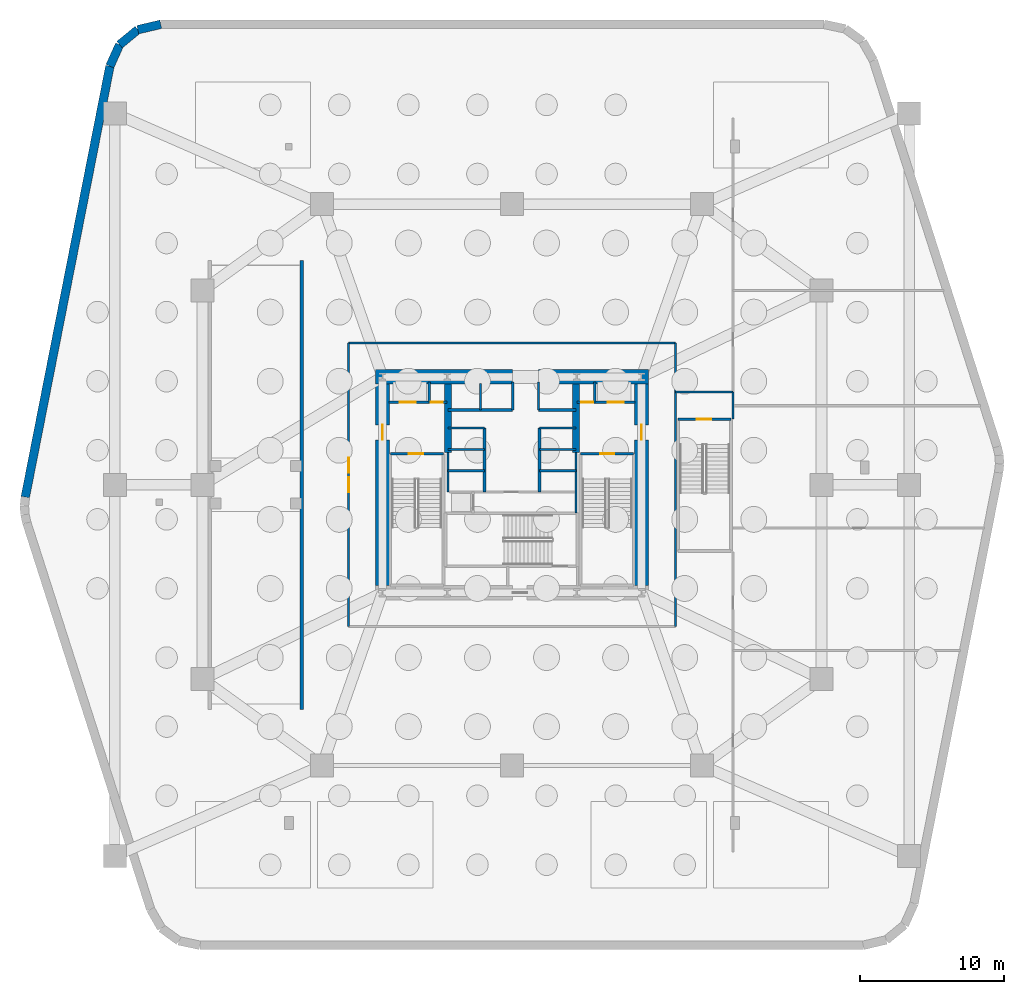
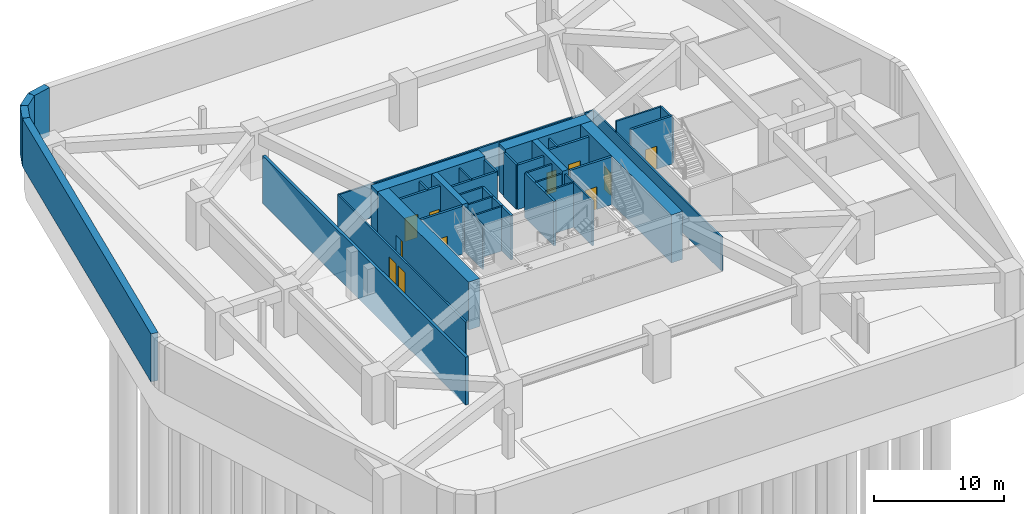
# One storey, part 4 of 8: 38 walls, 11 doors, 11 openings.
"""IFC4 building model written with IfcOpenShell, lengths in metres."""

from ifc_helpers import new_model, si_unit, direction, frame, frame_2d, origin, place, context, subcontext, project, spatial, rectangle, extrude, material, layer, layer_set, type_object, element, fill, save


model = new_model("IFC4")

# Units and contexts
model_context = context("Model", 3, precision=1e-05, world=origin(), true_north=direction((0.0, 1.0)))
body_context = subcontext(model_context, "Body", "Model", "MODEL_VIEW")
ifc_project = project(units=[si_unit("LENGTHUNIT", "METRE"), si_unit("AREAUNIT", "SQUARE_METRE"), si_unit("VOLUMEUNIT", "CUBIC_METRE"), si_unit("PLANEANGLEUNIT", "RADIAN"), si_unit("MASSUNIT", "GRAM", prefix="KILO")], contexts=[model_context])

# Site, building, storey
site_placement = place(None, origin())
site = spatial("IfcSite", under=ifc_project, at=site_placement, CompositionType="ELEMENT")
building_placement = place(site_placement, origin())
building = spatial("IfcBuilding", under=site, at=building_placement, Name="Kilnhurst Terrace Hotel", CompositionType="ELEMENT")
storey_placement = place(building_placement, frame((0.0, 0.0, -9.0)))
storey = spatial("IfcBuildingStorey", under=building, at=storey_placement, Name="B2", CompositionType="ELEMENT", Elevation=-9.0)

# Wall, openings, doors
ifc_material_1 = material(Name="Acoustic Double-Gypsum Corridor Partition Assembly")
ifc_layer_1 = layer(ifc_material_1, 0.14990234375, Name="Acoustic Double-Gypsum Corridor Partition Assembly")
ifc_layer_set_1 = layer_set([ifc_layer_1], Name="Acoustic Double-Gypsum Corridor Partition Assembly")
wall_type_1 = type_object("IfcWallType", Name="WL-COR-150", PredefinedType="PARTITIONING", material=ifc_layer_set_1)
wall_1_placement = place(storey_placement, frame((-11.35009765625, -9.85009765625, 0.0), z_axis=(0.0, 0.0, 1.0), x_axis=(0.0, 1.0, 0.0)))
wall_1 = element("IfcWall", 1, at=wall_1_placement, inside=storey, type_object=wall_type_1, Name="B2 Interior Wall WL-B2-COR-01", PredefinedType="PARTITIONING", context=body_context, shape_type="SweptSolid", body=[
    extrude(rectangle(XDim=19.7001953125, YDim=0.14990234375, at=frame_2d((9.85009765625, 0.0))), origin(), (0.0, 0.0, 1.0), 3.169921875),
])
opening_1_placement = place(wall_1_placement, frame((9.324951171875, 0.0, 0.0)))
opening_1 = element("IfcOpeningElement", 2, at=opening_1_placement, cuts=wall_1, Name="Opening D-90A", PredefinedType="OPENING", context=body_context, shape_type="SweptSolid", body=[
    extrude(rectangle(XDim=1.050048828125, YDim=2.14990234375, at=frame_2d((0.52490234375, 1.074951171875))), frame((0.0, 0.0849609375, 0.0), z_axis=(0.0, -1.0, 0.0), x_axis=(1.0, 0.0, 0.0)), (0.0, 0.0, 1.0), 0.169921875),
])
opening_2_placement = place(wall_1_placement, frame((10.675048828125, 0.0, 0.0)))
opening_2 = element("IfcOpeningElement", 3, at=opening_2_placement, cuts=wall_1, Name="Opening D-90A", PredefinedType="OPENING", context=body_context, shape_type="SweptSolid", body=[
    extrude(rectangle(XDim=1.050048828125, YDim=2.14990234375, at=frame_2d((0.52490234375, 1.074951171875))), frame((0.0, 0.0849609375, 0.0), z_axis=(0.0, -1.0, 0.0), x_axis=(1.0, 0.0, 0.0)), (0.0, 0.0, 1.0), 0.169921875),
])
ifc_material_2 = material(Name="Painted Hollow Metal Steel ASTM A36 Fire Door", Category="steel")
door_type_1 = type_object("IfcDoorType", Name="DR-FD90-1050", OperationType="NOTDEFINED", PredefinedType="DOOR", material=ifc_material_2)
door_1_placement = place(opening_1_placement, origin())
door_1 = element("IfcDoor", 4, at=door_1_placement, inside=storey, type_object=door_type_1, Name="B2 Car Park West Vestibule Door", OperationType="SINGLE_SWING_LEFT", OverallHeight=2.14990234375, OverallWidth=1.050048828125, PredefinedType="DOOR", context=body_context, shape_type="SweptSolid", body=[
    extrude(rectangle(XDim=1.050048828125, YDim=2.14990234375, at=frame_2d((0.52490234375, 1.074951171875))), frame((0.0, 0.02490234375, 0.0), z_axis=(0.0, -1.0, 0.0), x_axis=(1.0, 0.0, 0.0)), (0.0, 0.0, 1.0), 0.050048828125),
])
fill(opening_1, door_1)
door_2_placement = place(opening_2_placement, origin())
door_2 = element("IfcDoor", 5, at=door_2_placement, inside=storey, type_object=door_type_1, Name="B2 Car Park South Corridor Door", OperationType="SINGLE_SWING_RIGHT", OverallHeight=2.14990234375, OverallWidth=1.050048828125, PredefinedType="DOOR", context=body_context, shape_type="SweptSolid", body=[
    extrude(rectangle(XDim=1.050048828125, YDim=2.14990234375, at=frame_2d((0.52490234375, 1.074951171875))), frame((0.0, 0.02490234375, 0.0), z_axis=(0.0, -1.0, 0.0), x_axis=(1.0, 0.0, 0.0)), (0.0, 0.0, 1.0), 0.050048828125),
])
fill(opening_2, door_2)

# Walls
wall_2_placement = place(storey_placement, frame((-11.35009765625, 9.85009765625, 0.0), z_axis=(0.0, 0.0, 1.0), x_axis=(1.0, 0.0, 0.0)))
element("IfcWall", 6, at=wall_2_placement, inside=storey, type_object=wall_type_1, Name="B2 Interior Wall WL-B2-COR-02", PredefinedType="PARTITIONING", context=body_context, shape_type="SweptSolid", body=[
    extrude(rectangle(XDim=22.7001953125, YDim=0.14990234375, at=frame_2d((11.35009765625, 0.0))), origin(), (0.0, 0.0, 1.0), 3.169921875),
])
wall_3_placement = place(storey_placement, frame((11.35009765625, 9.85009765625, 0.0), z_axis=(0.0, 0.0, 1.0), x_axis=(0.0, -1.0, 0.0)))
element("IfcWall", 7, at=wall_3_placement, inside=storey, type_object=wall_type_1, Name="B2 Interior Wall WL-B2-COR-03", PredefinedType="PARTITIONING", context=body_context, shape_type="SweptSolid", body=[
    extrude(rectangle(XDim=19.7001953125, YDim=0.14990234375, at=frame_2d((9.85009765625, 0.0))), origin(), (0.0, 0.0, 1.0), 3.169921875),
])
wall_4_placement = place(storey_placement, frame((11.35009765625, 6.449951171875, 0.0), z_axis=(0.0, 0.0, 1.0), x_axis=(1.0, 0.0, 0.0)))
element("IfcWall", 8, at=wall_4_placement, inside=storey, type_object=wall_type_1, Name="B2 Interior Wall WL-B2-ST4-VEST-N", PredefinedType="PARTITIONING", context=body_context, shape_type="SweptSolid", body=[
    extrude(rectangle(XDim=4.0, YDim=0.14990234375, at=frame_2d((2.0, 0.0))), origin(), (0.0, 0.0, 1.0), 4.179931640625),
])
wall_5_placement = place(storey_placement, frame((15.35009765625, 4.55810546875, 0.0), z_axis=(0.0, 0.0, 1.0), x_axis=(0.0, 1.0, 0.0)))
element("IfcWall", 9, at=wall_5_placement, inside=storey, type_object=wall_type_1, Name="B2 Interior Wall WL-B2-ST4-VEST-E", PredefinedType="PARTITIONING", context=body_context, shape_type="SweptSolid", body=[
    extrude(rectangle(XDim=1.891845703125, YDim=0.14990234375, at=frame_2d((0.94580078125, 0.0))), origin(), (0.0, 0.0, 1.0), 4.179931640625),
])
ifc_material_3 = material(Name="Concrete C80/95", Category="concrete")
ifc_layer_2 = layer(ifc_material_3, 1.0, Name="Concrete C80/95")
ifc_layer_set_2 = layer_set([ifc_layer_2], Name="Concrete C80/95")
wall_type_2 = type_object("IfcWallType", Name="WL-CORE-1000", PredefinedType="SHEAR", material=ifc_layer_set_2)
wall_6_placement = place(storey_placement, frame((-9.5, 7.5, 0.0), z_axis=(0.0, 0.0, 1.0), x_axis=(1.0, 0.0, 0.0)))
element("IfcWall", 10, at=wall_6_placement, inside=storey, type_object=wall_type_2, Name="B2 Core North West Shear Wall", PredefinedType="SHEAR", context=body_context, shape_type="SweptSolid", body=[
    extrude(rectangle(XDim=9.550048828125, YDim=1.0, at=frame_2d((4.77490234375, 0.0))), origin(), (0.0, 0.0, 1.0), 4.5),
])
wall_7_placement = place(storey_placement, frame((1.85009765625, 7.5, 0.0), z_axis=(0.0, 0.0, 1.0), x_axis=(1.0, 0.0, 0.0)))
element("IfcWall", 11, at=wall_7_placement, inside=storey, type_object=wall_type_2, Name="B2 Core North East Shear Wall", PredefinedType="SHEAR", context=body_context, shape_type="SweptSolid", body=[
    extrude(rectangle(XDim=7.64990234375, YDim=1.0, at=frame_2d((3.824951171875, 0.0))), origin(), (0.0, 0.0, 1.0), 4.5),
])

# Wall, opening, door
wall_8_placement = place(storey_placement, frame((-9.0, -7.0, 0.0), z_axis=(0.0, 0.0, 1.0), x_axis=(0.0, 1.0, 0.0)))
wall_8 = element("IfcWall", 12, at=wall_8_placement, inside=storey, type_object=wall_type_2, Name="B2 Core West Shear Wall", PredefinedType="SHEAR", context=body_context, shape_type="SweptSolid", body=[
    extrude(rectangle(XDim=14.0, YDim=1.0, at=frame_2d((7.0, 0.0))), origin(), (0.0, 0.0, 1.0), 4.5),
])
opening_3_placement = place(wall_8_placement, frame((10.125, 0.0, 0.0)))
opening_3 = element("IfcOpeningElement", 13, at=opening_3_placement, cuts=wall_8, Name="Opening D-90A", PredefinedType="OPENING", context=body_context, shape_type="SweptSolid", body=[
    extrude(rectangle(XDim=1.050048828125, YDim=2.14990234375, at=frame_2d((0.52490234375, 1.074951171875))), frame((0.0, 0.510009765625, 0.0), z_axis=(0.0, -1.0, 0.0), x_axis=(1.0, 0.0, 0.0)), (0.0, 0.0, 1.0), 1.02001953125),
])
door_3_placement = place(opening_3_placement, origin())
door_3 = element("IfcDoor", 14, at=door_3_placement, inside=storey, type_object=door_type_1, Name="B2 West Firefighting Lobby Door", OperationType="SINGLE_SWING_RIGHT", OverallHeight=2.14990234375, OverallWidth=1.050048828125, PredefinedType="DOOR", context=body_context, shape_type="SweptSolid", body=[
    extrude(rectangle(XDim=1.050048828125, YDim=2.14990234375, at=frame_2d((0.52490234375, 1.074951171875))), frame((0.0, 0.02490234375, 0.0), z_axis=(0.0, -1.0, 0.0), x_axis=(1.0, 0.0, 0.0)), (0.0, 0.0, 1.0), 0.050048828125),
])
fill(opening_3, door_3)

wall_9_placement = place(storey_placement, frame((9.0, -7.0, 0.0), z_axis=(0.0, 0.0, 1.0), x_axis=(0.0, 1.0, 0.0)))
wall_9 = element("IfcWall", 15, at=wall_9_placement, inside=storey, type_object=wall_type_2, Name="B2 Core East Shear Wall", PredefinedType="SHEAR", context=body_context, shape_type="SweptSolid", body=[
    extrude(rectangle(XDim=14.0, YDim=1.0, at=frame_2d((7.0, 0.0))), origin(), (0.0, 0.0, 1.0), 4.5),
])
opening_4_placement = place(wall_9_placement, frame((10.125, 0.0, 0.0)))
opening_4 = element("IfcOpeningElement", 16, at=opening_4_placement, cuts=wall_9, Name="Opening D-90A", PredefinedType="OPENING", context=body_context, shape_type="SweptSolid", body=[
    extrude(rectangle(XDim=1.050048828125, YDim=2.14990234375, at=frame_2d((0.52490234375, 1.074951171875))), frame((0.0, 0.510009765625, 0.0), z_axis=(0.0, -1.0, 0.0), x_axis=(1.0, 0.0, 0.0)), (0.0, 0.0, 1.0), 1.02001953125),
])
door_4_placement = place(opening_4_placement, origin())
door_4 = element("IfcDoor", 17, at=door_4_placement, inside=storey, type_object=door_type_1, Name="B2 East Firefighting Lobby Door", OperationType="SINGLE_SWING_LEFT", OverallHeight=2.14990234375, OverallWidth=1.050048828125, PredefinedType="DOOR", context=body_context, shape_type="SweptSolid", body=[
    extrude(rectangle(XDim=1.050048828125, YDim=2.14990234375, at=frame_2d((0.52490234375, 1.074951171875))), frame((0.0, 0.02490234375, 0.0), z_axis=(0.0, -1.0, 0.0), x_axis=(1.0, 0.0, 0.0)), (0.0, 0.0, 1.0), 0.050048828125),
])
fill(opening_4, door_4)

# Walls
ifc_material_4 = material(Name="Concrete C60/75", Category="concrete")
ifc_layer_3 = layer(ifc_material_4, 0.5, Name="Concrete C60/75")
ifc_layer_set_3 = layer_set([ifc_layer_3], Name="Concrete C60/75")
wall_type_3 = type_object("IfcWallType", Name="WL-CORE-WEB-500", PredefinedType="SHEAR", material=ifc_layer_set_3)
for number, where, z_axis, x_axis, name in (
    (18, (-4.449951171875, 2.25, 0.0), (0.0, 0.0, 1.0), (0.0, 1.0, 0.0), "B2 Core Internal West Shear Web"),
    (19, (4.449951171875, 2.25, 0.0), (0.0, 0.0, 1.0), (0.0, 1.0, 0.0), "B2 Core Internal East Shear Web"),
):
    element("IfcWall", number, at=place(storey_placement, frame(where, z_axis=z_axis, x_axis=x_axis)), inside=storey, type_object=wall_type_3, Name=name, PredefinedType="SHEAR", context=body_context, shape_type="SweptSolid", body=[
        extrude(rectangle(XDim=4.75, YDim=0.5, at=frame_2d((2.375, 0.0))), origin(), (0.0, 0.0, 1.0), 4.5),
    ])
ifc_material_5 = material(Name="Concrete C50/60", Category="concrete")
ifc_layer_4 = layer(ifc_material_5, 0.25, Name="Concrete C50/60")
ifc_layer_set_4 = layer_set([ifc_layer_4], Name="Concrete C50/60")
wall_type_4 = type_object("IfcWallType", Name="WL-RAMP-RC-250", PredefinedType="SHEAR", material=ifc_layer_set_4)
wall_10_placement = place(storey_placement, frame((-14.60009765625, -15.60009765625, 0.0), z_axis=(0.0, 0.0, 1.0), x_axis=(0.0, 1.0, 0.0)))
element("IfcWall", 20, at=wall_10_placement, inside=storey, type_object=wall_type_4, Name="B2 Car Park Ramp Structural Support Wall E", PredefinedType="SHEAR", context=body_context, shape_type="SweptSolid", body=[
    extrude(rectangle(XDim=31.2001953125, YDim=0.25, at=frame_2d((15.60009765625, 0.0))), origin(), (0.0, 0.0, 1.0), 4.5),
])
ifc_layer_5 = layer(ifc_material_5, 0.60009765625, Name="Concrete C50/60")
ifc_layer_set_5 = layer_set([ifc_layer_5], Name="Concrete C50/60")
wall_type_5 = type_object("IfcWallType", Name="WL-RET-600", PredefinedType="SHEAR", material=ifc_layer_set_5)
wall_11_placement = place(storey_placement, frame((-24.408203125, 32.0, 0.0), z_axis=(0.0, 0.0, 1.0), x_axis=(-0.973787308354, -0.227460497864, 0.0)))
element("IfcWall", 21, at=wall_11_placement, inside=storey, type_object=wall_type_5, Name="B2 Perimeter Shear Retaining Wall 17", PredefinedType="SHEAR", context=body_context, shape_type="SweptSolid", body=[
    extrude(rectangle(XDim=1.637939453125, YDim=0.60009765625, at=frame_2d((0.81884765625, 0.0))), origin(), (0.0, 0.0, 1.0), 4.5),
])
for number, where, z_axis, x_axis, name in (
    (22, (-26.003173828125, 31.62744140625, 0.0), (0.0, 0.0, 1.0), (-0.772214171592, -0.635362316472, 0.0), "B2 Perimeter Shear Retaining Wall 18"),
    (23, (-27.267822265625, 30.5869140625, 0.0), (0.0, 0.0, 1.0), (-0.410835694769, -0.911709401018, 0.0), "B2 Perimeter Shear Retaining Wall 19"),
):
    element("IfcWall", number, at=place(storey_placement, frame(where, z_axis=z_axis, x_axis=x_axis)), inside=storey, type_object=wall_type_5, Name=name, PredefinedType="SHEAR", context=body_context, shape_type="SweptSolid", body=[
        extrude(rectangle(XDim=1.6376953125, YDim=0.60009765625, at=frame_2d((0.81884765625, 0.0))), origin(), (0.0, 0.0, 1.0), 4.5),
    ])
wall_12_placement = place(storey_placement, frame((-27.940673828125, 29.09375, 0.0), z_axis=(0.0, 0.0, 1.0), x_axis=(-0.192705549984, -0.981256628515, 0.0)))
element("IfcWall", 24, at=wall_12_placement, inside=storey, type_object=wall_type_5, Name="B2 Perimeter Shear Retaining Wall 20", PredefinedType="SHEAR", context=body_context, shape_type="SweptSolid", body=[
    extrude(rectangle(XDim=30.51611328125, YDim=0.60009765625, at=frame_2d((15.258056640625, 0.0))), origin(), (0.0, 0.0, 1.0), 4.5),
])
ifc_material_6 = material(Name="Fire-Rated Gypsum Shaftliner Assembly")
ifc_layer_6 = layer(ifc_material_6, 0.14990234375, Name="Fire-Rated Gypsum Shaftliner Assembly")
ifc_layer_set_6 = layer_set([ifc_layer_6], Name="Fire-Rated Gypsum Shaftliner Assembly")
wall_type_6 = type_object("IfcWallType", Name="WL-SHAFT-150", PredefinedType="PARTITIONING", material=ifc_layer_set_6)
for number, where, z_axis, x_axis, name in (
    (25, (-5.75, 5.739990234375, 0.0), (0.0, 0.0, 1.0), (0.0, 1.0, 0.0), "B2 Interior Wall WL-B2-RIS1-DIV"),
    (26, (5.75, 5.739990234375, 0.0), (0.0, 0.0, 1.0), (0.0, 1.0, 0.0), "B2 Interior Wall WL-B2-RIS2-DIV"),
):
    element("IfcWall", number, at=place(storey_placement, frame(where, z_axis=z_axis, x_axis=x_axis)), inside=storey, type_object=wall_type_6, Name=name, PredefinedType="PARTITIONING", context=body_context, shape_type="SweptSolid", body=[
        extrude(rectangle(XDim=1.409912109375, YDim=0.14990234375, at=frame_2d((0.705078125, 0.0))), origin(), (0.0, 0.0, 1.0), 4.179931640625),
    ])
wall_13_placement = place(storey_placement, frame((-2.199951171875, 5.199951171875, 0.0), z_axis=(0.0, 0.0, 1.0), x_axis=(0.0, 1.0, 0.0)))
element("IfcWall", 27, at=wall_13_placement, inside=storey, type_object=wall_type_6, Name="B2 Interior Wall WL-B2-HR-DIV1", PredefinedType="PARTITIONING", context=body_context, shape_type="SweptSolid", body=[
    extrude(rectangle(XDim=1.85009765625, YDim=0.14990234375, at=frame_2d((0.925048828125, 0.0))), origin(), (0.0, 0.0, 1.0), 4.179931640625),
])
for number, where, z_axis, x_axis, name in (
    (28, (0.050048828125, 5.199951171875, 0.0), (0.0, 0.0, 1.0), (0.0, 1.0, 0.0), "B2 Interior Wall WL-B2-HR-PORTAL-W"),
    (29, (1.85009765625, 5.199951171875, 0.0), (0.0, 0.0, 1.0), (0.0, 1.0, 0.0), "B2 Interior Wall WL-B2-HR-PORTAL-E"),
):
    element("IfcWall", number, at=place(storey_placement, frame(where, z_axis=z_axis, x_axis=x_axis)), inside=storey, type_object=wall_type_6, Name=name, PredefinedType="PARTITIONING", context=body_context, shape_type="SweptSolid", body=[
        extrude(rectangle(XDim=1.949951171875, YDim=0.14990234375, at=frame_2d((0.97509765625, 0.0))), origin(), (0.0, 0.0, 1.0), 4.179931640625),
    ])
wall_14_placement = place(storey_placement, frame((-4.449951171875, -0.5, 0.0), z_axis=(0.0, 0.0, 1.0), x_axis=(0.0, 1.0, 0.0)))
element("IfcWall", 30, at=wall_14_placement, inside=storey, type_object=wall_type_6, Name="B2 Interior Wall WL-B2-XLOB-W", PredefinedType="PARTITIONING", context=body_context, shape_type="SweptSolid", body=[
    extrude(rectangle(XDim=2.75, YDim=0.14990234375, at=frame_2d((1.375, 0.0))), origin(), (0.0, 0.0, 1.0), 4.179931640625),
])
wall_15_placement = place(storey_placement, frame((4.449951171875, -1.971923828125, 0.0), z_axis=(0.0, 0.0, 1.0), x_axis=(0.0, 1.0, 0.0)))
element("IfcWall", 31, at=wall_15_placement, inside=storey, type_object=wall_type_6, Name="B2 Interior Wall WL-B2-XLOB-E", PredefinedType="PARTITIONING", context=body_context, shape_type="SweptSolid", body=[
    extrude(rectangle(XDim=4.221923828125, YDim=0.14990234375, at=frame_2d((2.11083984375, 0.0))), origin(), (0.0, 0.0, 1.0), 4.179931640625),
])
for number, where, z_axis, x_axis, name in (
    (32, (-4.449951171875, 3.93994140625, 0.0), (0.0, 0.0, 1.0), (1.0, 0.0, 0.0), "B2 Interior Wall WL-B2-LR-NORTH"),
    (33, (-4.449951171875, 0.97998046875, 0.0), (0.0, 0.0, 1.0), (1.0, 0.0, 0.0), "B2 Interior Wall WL-B2-LR-D1"),
    (34, (-4.449951171875, 2.4599609375, 0.0), (0.0, 0.0, 1.0), (1.0, 0.0, 0.0), "B2 Interior Wall WL-B2-LR-D2"),
    (35, (1.89990234375, 3.93994140625, 0.0), (0.0, 0.0, 1.0), (1.0, 0.0, 0.0), "B2 Interior Wall WL-B2-MR-NORTH"),
    (36, (1.89990234375, 0.97998046875, 0.0), (0.0, 0.0, 1.0), (1.0, 0.0, 0.0), "B2 Interior Wall WL-B2-MR-D1"),
    (37, (1.89990234375, 2.4599609375, 0.0), (0.0, 0.0, 1.0), (1.0, 0.0, 0.0), "B2 Interior Wall WL-B2-MR-D2"),
):
    element("IfcWall", number, at=place(storey_placement, frame(where, z_axis=z_axis, x_axis=x_axis)), inside=storey, type_object=wall_type_6, Name=name, PredefinedType="PARTITIONING", context=body_context, shape_type="SweptSolid", body=[
        extrude(rectangle(XDim=2.550048828125, YDim=0.14990234375, at=frame_2d((1.27490234375, 0.0))), origin(), (0.0, 0.0, 1.0), 4.179931640625),
    ])

# Wall, openings, doors
ifc_material_7 = material(Name="Autoclaved Aerated Concrete C30/37 and Gypsum Shaft Assembly", Category="concrete")
ifc_layer_7 = layer(ifc_material_7, 0.199951171875, Name="Autoclaved Aerated Concrete C30/37 and Gypsum Shaft Assembly")
ifc_layer_set_7 = layer_set([ifc_layer_7], Name="Autoclaved Aerated Concrete C30/37 and Gypsum Shaft Assembly")
wall_type_7 = type_object("IfcWallType", Name="WL-SHAFT-200", PredefinedType="PARTITIONING", material=ifc_layer_set_7)
wall_16_placement = place(storey_placement, frame((-8.550048828125, 5.739990234375, 0.0), z_axis=(0.0, 0.0, 1.0), x_axis=(1.0, 0.0, 0.0)))
wall_16 = element("IfcWall", 38, at=wall_16_placement, inside=storey, type_object=wall_type_7, Name="B2 Interior Wall WL-B2-FSAE1-S", PredefinedType="PARTITIONING", context=body_context, shape_type="SweptSolid", body=[
    extrude(rectangle(XDim=4.050048828125, YDim=0.199951171875, at=frame_2d((2.02490234375, 0.0))), origin(), (0.0, 0.0, 1.0), 4.179931640625),
])
opening_5_placement = place(wall_16_placement, frame((0.75, 0.0, 0.0)))
opening_5 = element("IfcOpeningElement", 39, at=opening_5_placement, cuts=wall_16, Name="Opening LD-F1", PredefinedType="OPENING", context=body_context, shape_type="SweptSolid", body=[
    extrude(rectangle(XDim=1.10009765625, YDim=2.199951171875, at=frame_2d((0.550048828125, 1.10009765625))), frame((0.0, 0.10986328125, 0.0), z_axis=(0.0, -1.0, 0.0), x_axis=(1.0, 0.0, 0.0)), (0.0, 0.0, 1.0), 0.219970703125),
])
opening_6_placement = place(wall_16_placement, frame((2.89990234375, 0.0, 0.0)))
opening_6 = element("IfcOpeningElement", 40, at=opening_6_placement, cuts=wall_16, Name="Opening D-60D", PredefinedType="OPENING", context=body_context, shape_type="SweptSolid", body=[
    extrude(rectangle(XDim=0.85009765625, YDim=2.030029296875, at=frame_2d((0.425048828125, 1.01513671875))), frame((0.0, 0.10986328125, 0.0), z_axis=(0.0, -1.0, 0.0), x_axis=(1.0, 0.0, 0.0)), (0.0, 0.0, 1.0), 0.219970703125),
])
ifc_material_8 = material(Name="Painted Hollow Metal Steel ASTM A36 Riser Door", Category="steel")
door_type_2 = type_object("IfcDoorType", Name="DR-FD60-850", OperationType="NOTDEFINED", PredefinedType="DOOR", material=ifc_material_8)
door_5_placement = place(opening_6_placement, origin())
door_5 = element("IfcDoor", 41, at=door_5_placement, inside=storey, type_object=door_type_2, Name="B2 Electrical Riser Door", OperationType="SINGLE_SWING_LEFT", OverallHeight=2.030029296875, OverallWidth=0.85009765625, PredefinedType="DOOR", context=body_context, shape_type="SweptSolid", body=[
    extrude(rectangle(XDim=0.85009765625, YDim=2.030029296875, at=frame_2d((0.425048828125, 1.01513671875))), frame((0.0, 0.02490234375, 0.0), z_axis=(0.0, -1.0, 0.0), x_axis=(1.0, 0.0, 0.0)), (0.0, 0.0, 1.0), 0.050048828125),
])
fill(opening_6, door_5)
ifc_material_9 = material(Name="Bronze-Anodized Stainless Steel AISI 316L Sliding Door", Category="steel")
door_type_3 = type_object("IfcDoorType", Name="DR-LIFT-1100", OperationType="NOTDEFINED", PredefinedType="DOOR", material=ifc_material_9)
door_6_placement = place(opening_5_placement, origin())
door_6 = element("IfcDoor", 42, at=door_6_placement, inside=storey, type_object=door_type_3, Name="B2 FSAE-1 Landing Door", OperationType="SLIDING_TO_LEFT", OverallHeight=2.199951171875, OverallWidth=1.10009765625, PredefinedType="DOOR", context=body_context, shape_type="SweptSolid", body=[
    extrude(rectangle(XDim=1.10009765625, YDim=2.199951171875, at=frame_2d((0.550048828125, 1.10009765625))), frame((0.0, 0.02490234375, 0.0), z_axis=(0.0, -1.0, 0.0), x_axis=(1.0, 0.0, 0.0)), (0.0, 0.0, 1.0), 0.050048828125),
])
fill(opening_5, door_6)

wall_17_placement = place(storey_placement, frame((4.5, 5.739990234375, 0.0), z_axis=(0.0, 0.0, 1.0), x_axis=(1.0, 0.0, 0.0)))
wall_17 = element("IfcWall", 43, at=wall_17_placement, inside=storey, type_object=wall_type_7, Name="B2 Interior Wall WL-B2-FSAE2-S", PredefinedType="PARTITIONING", context=body_context, shape_type="SweptSolid", body=[
    extrude(rectangle(XDim=4.050048828125, YDim=0.199951171875, at=frame_2d((2.02490234375, 0.0))), origin(), (0.0, 0.0, 1.0), 4.179931640625),
])
opening_7_placement = place(wall_17_placement, frame((0.300048828125, 0.0, 0.0)))
opening_7 = element("IfcOpeningElement", 44, at=opening_7_placement, cuts=wall_17, Name="Opening D-60D", PredefinedType="OPENING", context=body_context, shape_type="SweptSolid", body=[
    extrude(rectangle(XDim=0.85009765625, YDim=2.030029296875, at=frame_2d((0.425048828125, 1.01513671875))), frame((0.0, 0.10986328125, 0.0), z_axis=(0.0, -1.0, 0.0), x_axis=(1.0, 0.0, 0.0)), (0.0, 0.0, 1.0), 0.219970703125),
])
opening_8_placement = place(wall_17_placement, frame((2.14990234375, 0.0, 0.0)))
opening_8 = element("IfcOpeningElement", 45, at=opening_8_placement, cuts=wall_17, Name="Opening LD-F2", PredefinedType="OPENING", context=body_context, shape_type="SweptSolid", body=[
    extrude(rectangle(XDim=1.10009765625, YDim=2.199951171875, at=frame_2d((0.550048828125, 1.10009765625))), frame((0.0, 0.10986328125, 0.0), z_axis=(0.0, -1.0, 0.0), x_axis=(1.0, 0.0, 0.0)), (0.0, 0.0, 1.0), 0.219970703125),
])
door_7_placement = place(opening_7_placement, origin())
door_7 = element("IfcDoor", 46, at=door_7_placement, inside=storey, type_object=door_type_2, Name="B2 Telecom Riser Door", OperationType="SINGLE_SWING_RIGHT", OverallHeight=2.030029296875, OverallWidth=0.85009765625, PredefinedType="DOOR", context=body_context, shape_type="SweptSolid", body=[
    extrude(rectangle(XDim=0.85009765625, YDim=2.030029296875, at=frame_2d((0.425048828125, 1.01513671875))), frame((0.0, 0.02490234375, 0.0), z_axis=(0.0, -1.0, 0.0), x_axis=(1.0, 0.0, 0.0)), (0.0, 0.0, 1.0), 0.050048828125),
])
fill(opening_7, door_7)
door_8_placement = place(opening_8_placement, origin())
door_8 = element("IfcDoor", 47, at=door_8_placement, inside=storey, type_object=door_type_3, Name="B2 FSAE-2 Landing Door", OperationType="SLIDING_TO_RIGHT", OverallHeight=2.199951171875, OverallWidth=1.10009765625, PredefinedType="DOOR", context=body_context, shape_type="SweptSolid", body=[
    extrude(rectangle(XDim=1.10009765625, YDim=2.199951171875, at=frame_2d((0.550048828125, 1.10009765625))), frame((0.0, 0.02490234375, 0.0), z_axis=(0.0, -1.0, 0.0), x_axis=(1.0, 0.0, 0.0)), (0.0, 0.0, 1.0), 0.050048828125),
])
fill(opening_8, door_8)

# Walls
wall_18_placement = place(storey_placement, frame((-4.449951171875, 5.199951171875, 0.0), z_axis=(0.0, 0.0, 1.0), x_axis=(1.0, 0.0, 0.0)))
element("IfcWall", 48, at=wall_18_placement, inside=storey, type_object=wall_type_7, Name="B2 Interior Wall WL-B2-HR-SW", PredefinedType="PARTITIONING", context=body_context, shape_type="SweptSolid", body=[
    extrude(rectangle(XDim=4.5, YDim=0.199951171875, at=frame_2d((2.25, 0.0))), origin(), (0.0, 0.0, 1.0), 4.179931640625),
])
wall_19_placement = place(storey_placement, frame((1.85009765625, 5.199951171875, 0.0), z_axis=(0.0, 0.0, 1.0), x_axis=(1.0, 0.0, 0.0)))
element("IfcWall", 49, at=wall_19_placement, inside=storey, type_object=wall_type_7, Name="B2 Interior Wall WL-B2-HR-SE", PredefinedType="PARTITIONING", context=body_context, shape_type="SweptSolid", body=[
    extrude(rectangle(XDim=2.599853515625, YDim=0.199951171875, at=frame_2d((1.2998046875, 0.0))), origin(), (0.0, 0.0, 1.0), 4.179931640625),
])
for number, where, z_axis, x_axis, name in (
    (50, (-1.89990234375, -0.5, 0.0), (0.0, 0.0, 1.0), (0.0, 1.0, 0.0), "B2 Interior Wall WL-B2-LR-FRONT"),
    (51, (1.89990234375, -0.5, 0.0), (0.0, 0.0, 1.0), (0.0, 1.0, 0.0), "B2 Interior Wall WL-B2-MR-FRONT"),
):
    element("IfcWall", number, at=place(storey_placement, frame(where, z_axis=z_axis, x_axis=x_axis)), inside=storey, type_object=wall_type_7, Name=name, PredefinedType="PARTITIONING", context=body_context, shape_type="SweptSolid", body=[
        extrude(rectangle(XDim=4.43994140625, YDim=0.199951171875, at=frame_2d((2.219970703125, 0.0))), origin(), (0.0, 0.0, 1.0), 4.179931640625),
    ])

# Wall, opening, door
ifc_layer_8 = layer(ifc_material_5, 0.199951171875, Name="Concrete C50/60")
ifc_layer_set_8 = layer_set([ifc_layer_8], Name="Concrete C50/60")
wall_type_8 = type_object("IfcWallType", Name="WL-STAIR-RC-200", PredefinedType="SHEAR", material=ifc_layer_set_8)
wall_20_placement = place(storey_placement, frame((-8.4580078125, 2.157958984375, 0.0), z_axis=(0.0, 0.0, 1.0), x_axis=(1.0, 0.0, 0.0)))
wall_20 = element("IfcWall", 52, at=wall_20_placement, inside=storey, type_object=wall_type_8, Name="B2 Structural Stair Shaft Wall WL-B2-ST1-N", PredefinedType="SHEAR", context=body_context, shape_type="SweptSolid", body=[
    extrude(rectangle(XDim=3.68603515625, YDim=0.199951171875, at=frame_2d((1.843017578125, 0.0))), origin(), (0.0, 0.0, 1.0), 4.5),
])
opening_9_placement = place(wall_20_placement, frame((1.300048828125, 0.0, 0.0)))
opening_9 = element("IfcOpeningElement", 53, at=opening_9_placement, cuts=wall_20, Name="Opening D-90B", PredefinedType="OPENING", context=body_context, shape_type="SweptSolid", body=[
    extrude(rectangle(XDim=1.0, YDim=2.14990234375, at=frame_2d((0.5, 1.074951171875))), frame((0.0, 0.10986328125, 0.0), z_axis=(0.0, -1.0, 0.0), x_axis=(1.0, 0.0, 0.0)), (0.0, 0.0, 1.0), 0.219970703125),
])
door_type_4 = type_object("IfcDoorType", Name="DR-FD90-1000", OperationType="NOTDEFINED", PredefinedType="DOOR", material=ifc_material_2)
door_9_placement = place(opening_9_placement, origin())
door_9 = element("IfcDoor", 54, at=door_9_placement, inside=storey, type_object=door_type_4, Name="B2 Stair ST-1 Door", OperationType="SINGLE_SWING_LEFT", OverallHeight=2.14990234375, OverallWidth=1.0, PredefinedType="DOOR", context=body_context, shape_type="SweptSolid", body=[
    extrude(rectangle(XDim=1.0, YDim=2.14990234375, at=frame_2d((0.5, 1.074951171875))), frame((0.0, 0.02490234375, 0.0), z_axis=(0.0, -1.0, 0.0), x_axis=(1.0, 0.0, 0.0)), (0.0, 0.0, 1.0), 0.050048828125),
])
fill(opening_9, door_9)

wall_21_placement = place(storey_placement, frame((4.77197265625, 2.157958984375, 0.0), z_axis=(0.0, 0.0, 1.0), x_axis=(1.0, 0.0, 0.0)))
wall_21 = element("IfcWall", 55, at=wall_21_placement, inside=storey, type_object=wall_type_8, Name="B2 Structural Stair Shaft Wall WL-B2-ST2-N", PredefinedType="SHEAR", context=body_context, shape_type="SweptSolid", body=[
    extrude(rectangle(XDim=3.68603515625, YDim=0.199951171875, at=frame_2d((1.843017578125, 0.0))), origin(), (0.0, 0.0, 1.0), 4.5),
])
opening_10_placement = place(wall_21_placement, frame((1.35009765625, 0.0, 0.0)))
opening_10 = element("IfcOpeningElement", 56, at=opening_10_placement, cuts=wall_21, Name="Opening D-90B", PredefinedType="OPENING", context=body_context, shape_type="SweptSolid", body=[
    extrude(rectangle(XDim=1.0, YDim=2.14990234375, at=frame_2d((0.5, 1.074951171875))), frame((0.0, 0.10986328125, 0.0), z_axis=(0.0, -1.0, 0.0), x_axis=(1.0, 0.0, 0.0)), (0.0, 0.0, 1.0), 0.219970703125),
])
door_10_placement = place(opening_10_placement, origin())
door_10 = element("IfcDoor", 57, at=door_10_placement, inside=storey, type_object=door_type_4, Name="B2 Stair ST-2 Door", OperationType="SINGLE_SWING_RIGHT", OverallHeight=2.14990234375, OverallWidth=1.0, PredefinedType="DOOR", context=body_context, shape_type="SweptSolid", body=[
    extrude(rectangle(XDim=1.0, YDim=2.14990234375, at=frame_2d((0.5, 1.074951171875))), frame((0.0, 0.02490234375, 0.0), z_axis=(0.0, -1.0, 0.0), x_axis=(1.0, 0.0, 0.0)), (0.0, 0.0, 1.0), 0.050048828125),
])
fill(opening_10, door_10)

wall_22_placement = place(storey_placement, frame((11.5419921875, 4.55810546875, 0.0), z_axis=(0.0, 0.0, 1.0), x_axis=(1.0, 0.0, 0.0)))
wall_22 = element("IfcWall", 58, at=wall_22_placement, inside=storey, type_object=wall_type_8, Name="B2 Podium Stair ST-4 Structural Shaft Wall WL-B2-ST4-N", PredefinedType="SHEAR", context=body_context, shape_type="SweptSolid", body=[
    extrude(rectangle(XDim=3.68603515625, YDim=0.199951171875, at=frame_2d((1.843017578125, 0.0))), origin(), (0.0, 0.0, 1.0), 4.5),
])
opening_11_placement = place(wall_22_placement, frame((1.300048828125, 0.0, 0.0)))
opening_11 = element("IfcOpeningElement", 59, at=opening_11_placement, cuts=wall_22, Name="Opening D-90B", PredefinedType="OPENING", context=body_context, shape_type="SweptSolid", body=[
    extrude(rectangle(XDim=1.0, YDim=2.14990234375, at=frame_2d((0.5, 1.074951171875))), frame((0.0, 0.10986328125, 0.0), z_axis=(0.0, -1.0, 0.0), x_axis=(1.0, 0.0, 0.0)), (0.0, 0.0, 1.0), 0.219970703125),
])
door_11_placement = place(opening_11_placement, origin())
door_11 = element("IfcDoor", 60, at=door_11_placement, inside=storey, type_object=door_type_4, Name="B2 Stair ST-4 Door", OperationType="SINGLE_SWING_RIGHT", OverallHeight=2.14990234375, OverallWidth=1.0, PredefinedType="DOOR", context=body_context, shape_type="SweptSolid", body=[
    extrude(rectangle(XDim=1.0, YDim=2.14990234375, at=frame_2d((0.5, 1.074951171875))), frame((0.0, 0.02490234375, 0.0), z_axis=(0.0, -1.0, 0.0), x_axis=(1.0, 0.0, 0.0)), (0.0, 0.0, 1.0), 0.050048828125),
])
fill(opening_11, door_11)

save(model, "model.ifc")
